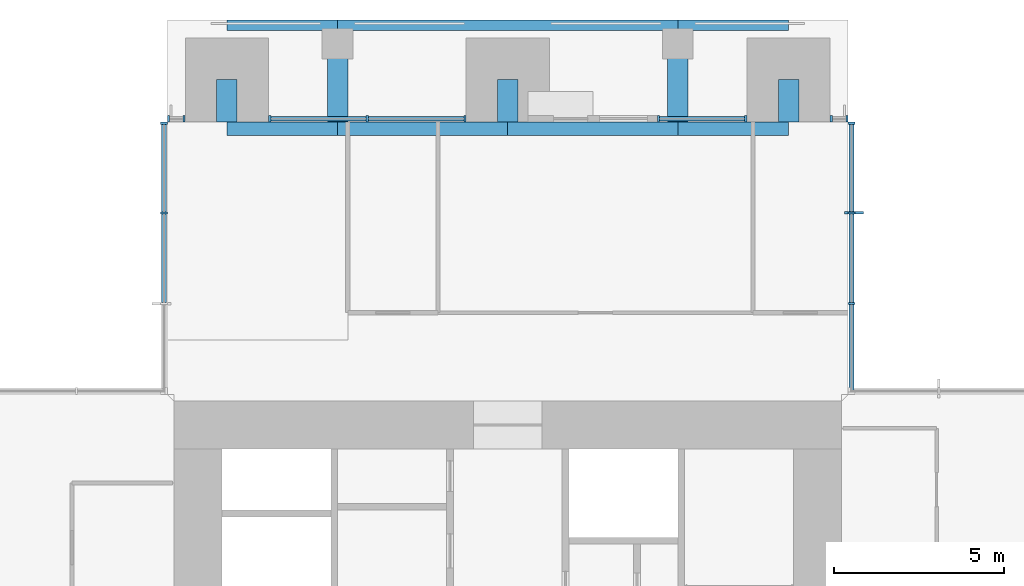
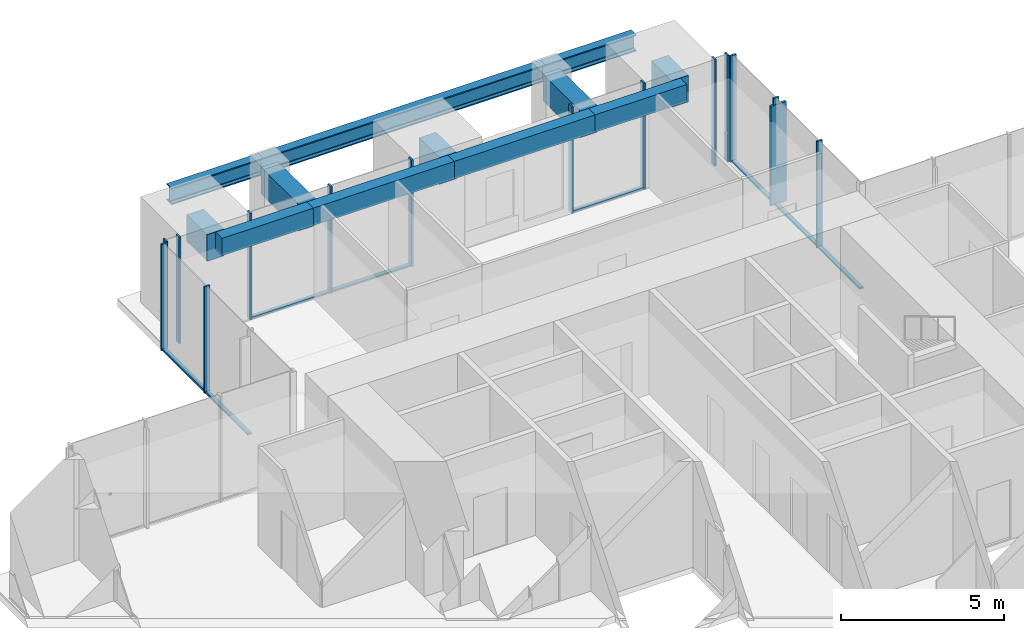
# One storey, part 5 of 17: 23 members, 12 beams, 6 elements without a shape of their own.
"""IFC4 building model written with IfcOpenShell, lengths in metres."""

from ifc_helpers import new_model, si_unit, direction, frame, origin, origin_2d, place, context, subcontext, project, spatial, rectangle, i_section, extrude, material, material_profile, profile_set, type_object, element, aggregate, save


model = new_model("IFC4")

# Units and contexts
model_context = context("Model", 3, precision=1e-05, world=origin(), true_north=direction((0.0, 1.0)))
body_context = subcontext(model_context, "Body", "Model", "MODEL_VIEW")
ifc_project = project(units=[si_unit("LENGTHUNIT", "METRE"), si_unit("AREAUNIT", "SQUARE_METRE"), si_unit("VOLUMEUNIT", "CUBIC_METRE"), si_unit("PLANEANGLEUNIT", "RADIAN"), si_unit("MASSUNIT", "GRAM", prefix="KILO")], contexts=[model_context])

# Site, building, storey
site_placement = place(None, origin())
site = spatial("IfcSite", under=ifc_project, at=site_placement, CompositionType="ELEMENT")
building_placement = place(site_placement, origin())
building = spatial("IfcBuilding", under=site, at=building_placement, Name="Svetlomir Tower", CompositionType="ELEMENT")
storey_placement = place(building_placement, frame((0.0, 0.0, 226.5)))
storey = spatial("IfcBuildingStorey", under=building, at=storey_placement, Name="L54", CompositionType="ELEMENT", Elevation=226.5)

# Curtain wall, members
ifc_material_1 = material(Name="Bronze anodised aluminium curtain wall", Category="aluminium")
curtain_wall_type = type_object("IfcCurtainWallType", Name="CURTAIN WALL CW1 TOWER OFFICE", PredefinedType="NOTDEFINED", material=ifc_material_1)
curtain_wall_1_placement = place(storey_placement, origin())
curtain_wall_1 = element("IfcCurtainWall", 1, at=curtain_wall_1_placement, inside=storey, type_object=curtain_wall_type, Name="Curtain wall CW1 L54", PredefinedType="NOTDEFINED")
ifc_material_2 = material(Name="Bronze anodised aluminium", Category="aluminium")
ifc_material_profile_1 = material_profile(ifc_material_2, rectangle(XDim=0.080078125, YDim=0.550048828125, at=origin_2d()), Name="FIN 80x550")
ifc_profile_set_1 = profile_set([ifc_material_profile_1], Name="Bronze anodised aluminium 6063-T6")
member_type_1 = type_object("IfcMemberType", Name="BRONZE FIN 80x550", PredefinedType="USERDEFINED", material=ifc_profile_set_1)
member_1_placement = place(storey_placement, frame((31.175048828125, 36.333251953125, 0.0), z_axis=(0.0, 0.0, 1.0), x_axis=(0.0, 1.0, 0.0)))
member_1 = element("IfcMember", 2, at=member_1_placement, type_object=member_type_1, Name="Bronze fin L54", ObjectType="FIN", PredefinedType="USERDEFINED", context=body_context, shape_type="SweptSolid", body=[
    extrude(rectangle(XDim=0.080078125, YDim=0.550048828125, at=origin_2d()), origin(), (0.0, 0.0, 1.0), 3.75),
])
ifc_material_3 = material(Name="Bronze anodised aluminium", Category="aluminium")
ifc_material_profile_2 = material_profile(ifc_material_3, rectangle(XDim=0.06494140625, YDim=0.199951171875, at=origin_2d()), Name="AL 65x200")
ifc_profile_set_2 = profile_set([ifc_material_profile_2], Name="Bronze anodised aluminium 6063-T6")
member_type_2 = type_object("IfcMemberType", Name="CW1 MULLION 65x200", PredefinedType="MULLION", material=ifc_profile_set_2)
member_2_placement = place(storey_placement, frame((31.10009765625, 33.666748046875, 0.0), z_axis=(0.0, 0.0, 1.0), x_axis=(0.0, 1.0, 0.0)))
member_2 = element("IfcMember", 3, at=member_2_placement, type_object=member_type_2, Name="CW1 mullion 2", PredefinedType="MULLION", context=body_context, shape_type="SweptSolid", body=[
    extrude(rectangle(XDim=0.06494140625, YDim=0.199951171875, at=origin_2d()), origin(), (0.0, 0.0, 1.0), 4.0),
])
member_3_placement = place(storey_placement, frame((31.10009765625, 36.333251953125, 0.0), z_axis=(0.0, 0.0, 1.0), x_axis=(0.0, 1.0, 0.0)))
member_3 = element("IfcMember", 4, at=member_3_placement, type_object=member_type_2, Name="CW1 mullion 3", PredefinedType="MULLION", context=body_context, shape_type="SweptSolid", body=[
    extrude(rectangle(XDim=0.06494140625, YDim=0.199951171875, at=origin_2d()), origin(), (0.0, 0.0, 1.0), 4.0),
])
member_4_placement = place(storey_placement, frame((31.10009765625, 38.967529296875, 0.0), z_axis=(0.0, 0.0, 1.0), x_axis=(0.0, 1.0, 0.0)))
member_4 = element("IfcMember", 5, at=member_4_placement, type_object=member_type_2, Name="CW1 mullion 4", PredefinedType="MULLION", context=body_context, shape_type="SweptSolid", body=[
    extrude(rectangle(XDim=0.06494140625, YDim=0.199951171875, at=origin_2d()), origin(), (0.0, 0.0, 1.0), 4.0),
])

curtain_wall_2_placement = place(storey_placement, origin())
curtain_wall_2 = element("IfcCurtainWall", 6, at=curtain_wall_2_placement, inside=storey, type_object=curtain_wall_type, Name="Curtain wall CW1 L54", PredefinedType="NOTDEFINED")
member_5_placement = place(storey_placement, frame((30.967529296875, 39.10009765625, 0.0), z_axis=(0.0, 0.0, 1.0), x_axis=(-1.0, 0.0, 0.0)))
member_5 = element("IfcMember", 7, at=member_5_placement, type_object=member_type_2, Name="CW1 mullion 1", PredefinedType="MULLION", context=body_context, shape_type="SweptSolid", body=[
    extrude(rectangle(XDim=0.06494140625, YDim=0.199951171875, at=origin_2d()), origin(), (0.0, 0.0, 1.0), 4.0),
])
member_6_placement = place(storey_placement, frame((30.507568359375, 39.10009765625, 0.0), z_axis=(0.0, 0.0, 1.0), x_axis=(-1.0, 0.0, 0.0)))
member_6 = element("IfcMember", 8, at=member_6_placement, type_object=member_type_2, Name="CW1 mullion 2", PredefinedType="MULLION", context=body_context, shape_type="SweptSolid", body=[
    extrude(rectangle(XDim=0.06494140625, YDim=0.199951171875, at=origin_2d()), origin(), (0.0, 0.0, 1.0), 4.0),
])
aggregate(curtain_wall_2, [member_5, member_6])

curtain_wall_3_placement = place(storey_placement, origin())
curtain_wall_3 = element("IfcCurtainWall", 9, at=curtain_wall_3_placement, inside=storey, type_object=curtain_wall_type, Name="Curtain wall CW1 L54", PredefinedType="NOTDEFINED")
member_7_placement = place(storey_placement, frame((27.992431640625, 39.10009765625, 0.0), z_axis=(0.0, 0.0, 1.0), x_axis=(-1.0, 0.0, 0.0)))
member_7 = element("IfcMember", 10, at=member_7_placement, type_object=member_type_2, Name="CW1 mullion 1", PredefinedType="MULLION", context=body_context, shape_type="SweptSolid", body=[
    extrude(rectangle(XDim=0.06494140625, YDim=0.199951171875, at=origin_2d()), origin(), (0.0, 0.0, 1.0), 4.0),
])
member_8_placement = place(storey_placement, frame((25.4326171875, 39.10009765625, 0.0), z_axis=(0.0, 0.0, 1.0), x_axis=(-1.0, 0.0, 0.0)))
member_8 = element("IfcMember", 11, at=member_8_placement, type_object=member_type_2, Name="CW1 mullion 2", PredefinedType="MULLION", context=body_context, shape_type="SweptSolid", body=[
    extrude(rectangle(XDim=0.06494140625, YDim=0.199951171875, at=origin_2d()), origin(), (0.0, 0.0, 1.0), 4.0),
])

curtain_wall_4_placement = place(storey_placement, origin())
curtain_wall_4 = element("IfcCurtainWall", 12, at=curtain_wall_4_placement, inside=storey, type_object=curtain_wall_type, Name="Curtain wall CW1 L54", PredefinedType="NOTDEFINED")
member_9_placement = place(storey_placement, frame((19.742431640625, 39.10009765625, 0.0), z_axis=(0.0, 0.0, 1.0), x_axis=(-1.0, 0.0, 0.0)))
member_9 = element("IfcMember", 13, at=member_9_placement, type_object=member_type_2, Name="CW1 mullion 1", PredefinedType="MULLION", context=body_context, shape_type="SweptSolid", body=[
    extrude(rectangle(XDim=0.06494140625, YDim=0.199951171875, at=origin_2d()), origin(), (0.0, 0.0, 1.0), 4.0),
])
member_10_placement = place(storey_placement, frame((16.875, 39.10009765625, 0.0), z_axis=(0.0, 0.0, 1.0), x_axis=(-1.0, 0.0, 0.0)))
member_10 = element("IfcMember", 14, at=member_10_placement, type_object=member_type_2, Name="CW1 mullion 2", PredefinedType="MULLION", context=body_context, shape_type="SweptSolid", body=[
    extrude(rectangle(XDim=0.06494140625, YDim=0.199951171875, at=origin_2d()), origin(), (0.0, 0.0, 1.0), 4.0),
])
member_11_placement = place(storey_placement, frame((14.007568359375, 39.10009765625, 0.0), z_axis=(0.0, 0.0, 1.0), x_axis=(-1.0, 0.0, 0.0)))
member_11 = element("IfcMember", 15, at=member_11_placement, type_object=member_type_2, Name="CW1 mullion 3", PredefinedType="MULLION", context=body_context, shape_type="SweptSolid", body=[
    extrude(rectangle(XDim=0.06494140625, YDim=0.199951171875, at=origin_2d()), origin(), (0.0, 0.0, 1.0), 4.0),
])

curtain_wall_5_placement = place(storey_placement, origin())
curtain_wall_5 = element("IfcCurtainWall", 16, at=curtain_wall_5_placement, inside=storey, type_object=curtain_wall_type, Name="Curtain wall CW1 L54", PredefinedType="NOTDEFINED")
member_12_placement = place(storey_placement, frame((11.492431640625, 39.10009765625, 0.0), z_axis=(0.0, 0.0, 1.0), x_axis=(-1.0, 0.0, 0.0)))
member_12 = element("IfcMember", 17, at=member_12_placement, type_object=member_type_2, Name="CW1 mullion 1", PredefinedType="MULLION", context=body_context, shape_type="SweptSolid", body=[
    extrude(rectangle(XDim=0.06494140625, YDim=0.199951171875, at=origin_2d()), origin(), (0.0, 0.0, 1.0), 4.0),
])
member_13_placement = place(storey_placement, frame((11.032470703125, 39.10009765625, 0.0), z_axis=(0.0, 0.0, 1.0), x_axis=(-1.0, 0.0, 0.0)))
member_13 = element("IfcMember", 18, at=member_13_placement, type_object=member_type_2, Name="CW1 mullion 2", PredefinedType="MULLION", context=body_context, shape_type="SweptSolid", body=[
    extrude(rectangle(XDim=0.06494140625, YDim=0.199951171875, at=origin_2d()), origin(), (0.0, 0.0, 1.0), 4.0),
])
aggregate(curtain_wall_5, [member_12, member_13])

curtain_wall_6_placement = place(storey_placement, origin())
curtain_wall_6 = element("IfcCurtainWall", 19, at=curtain_wall_6_placement, inside=storey, type_object=curtain_wall_type, Name="Curtain wall CW1 L54", PredefinedType="NOTDEFINED")
member_14_placement = place(storey_placement, frame((10.89990234375, 38.967529296875, 0.0), z_axis=(0.0, 0.0, 1.0), x_axis=(0.0, -1.0, 0.0)))
member_14 = element("IfcMember", 20, at=member_14_placement, type_object=member_type_2, Name="CW1 mullion 1", PredefinedType="MULLION", context=body_context, shape_type="SweptSolid", body=[
    extrude(rectangle(XDim=0.06494140625, YDim=0.199951171875, at=origin_2d()), origin(), (0.0, 0.0, 1.0), 4.0),
])
member_15_placement = place(storey_placement, frame((10.89990234375, 36.333251953125, 0.0), z_axis=(0.0, 0.0, 1.0), x_axis=(0.0, -1.0, 0.0)))
member_15 = element("IfcMember", 21, at=member_15_placement, type_object=member_type_2, Name="CW1 mullion 2", PredefinedType="MULLION", context=body_context, shape_type="SweptSolid", body=[
    extrude(rectangle(XDim=0.06494140625, YDim=0.199951171875, at=origin_2d()), origin(), (0.0, 0.0, 1.0), 4.0),
])

# Member
ifc_material_4 = material(Name="Bronze anodised aluminium", Category="aluminium")
ifc_material_profile_3 = material_profile(ifc_material_4, rectangle(XDim=0.139892578125, YDim=0.06494140625, at=origin_2d()), Name="AL 140x65")
ifc_profile_set_3 = profile_set([ifc_material_profile_3], Name="Bronze anodised aluminium 6063-T6")
member_type_3 = type_object("IfcMemberType", Name="CW1 TRANSOM 65x140", PredefinedType="USERDEFINED", material=ifc_profile_set_3)
member_16_placement = place(storey_placement, frame((31.10009765625, 31.06494140625, 0.032470703125), z_axis=(0.0, 1.0, 0.0), x_axis=(-1.0, 0.0, 0.0)))
member_16 = element("IfcMember", 22, at=member_16_placement, type_object=member_type_3, Name="CW1 transom 1.1", ObjectType="TRANSOM", PredefinedType="USERDEFINED", context=body_context, shape_type="SweptSolid", body=[
    extrude(rectangle(XDim=0.139892578125, YDim=0.06494140625, at=origin_2d()), origin(), (0.0, 0.0, 1.0), 2.5693359375),
])

member_17_placement = place(storey_placement, frame((31.10009765625, 33.69921875, 0.032470703125), z_axis=(0.0, 1.0, 0.0), x_axis=(-1.0, 0.0, 0.0)))
member_17 = element("IfcMember", 23, at=member_17_placement, type_object=member_type_3, Name="CW1 transom 2.1", ObjectType="TRANSOM", PredefinedType="USERDEFINED", context=body_context, shape_type="SweptSolid", body=[
    extrude(rectangle(XDim=0.139892578125, YDim=0.06494140625, at=origin_2d()), origin(), (0.0, 0.0, 1.0), 2.6015625),
])

member_18_placement = place(storey_placement, frame((31.10009765625, 36.36572265625, 0.032470703125), z_axis=(0.0, 1.0, 0.0), x_axis=(-1.0, 0.0, 0.0)))
member_18 = element("IfcMember", 24, at=member_18_placement, type_object=member_type_3, Name="CW1 transom 3.1", ObjectType="TRANSOM", PredefinedType="USERDEFINED", context=body_context, shape_type="SweptSolid", body=[
    extrude(rectangle(XDim=0.139892578125, YDim=0.06494140625, at=origin_2d()), origin(), (0.0, 0.0, 1.0), 2.5693359375),
])

aggregate(curtain_wall_1, [member_2, member_3, member_4, member_16, member_17, member_18, member_1])

member_19_placement = place(storey_placement, frame((27.9599609375, 39.10009765625, 0.032470703125), z_axis=(-1.0, 0.0, 0.0), x_axis=(0.0, -1.0, 0.0)))
member_19 = element("IfcMember", 25, at=member_19_placement, type_object=member_type_3, Name="CW1 transom 1.1", ObjectType="TRANSOM", PredefinedType="USERDEFINED", context=body_context, shape_type="SweptSolid", body=[
    extrude(rectangle(XDim=0.139892578125, YDim=0.06494140625, at=origin_2d()), origin(), (0.0, 0.0, 1.0), 2.494873046875),
])

aggregate(curtain_wall_3, [member_7, member_8, member_19])

member_20_placement = place(storey_placement, frame((19.7099609375, 39.10009765625, 0.032470703125), z_axis=(-1.0, 0.0, 0.0), x_axis=(0.0, -1.0, 0.0)))
member_20 = element("IfcMember", 26, at=member_20_placement, type_object=member_type_3, Name="CW1 transom 1.1", ObjectType="TRANSOM", PredefinedType="USERDEFINED", context=body_context, shape_type="SweptSolid", body=[
    extrude(rectangle(XDim=0.139892578125, YDim=0.06494140625, at=origin_2d()), origin(), (0.0, 0.0, 1.0), 2.802490234375),
])

member_21_placement = place(storey_placement, frame((16.842529296875, 39.10009765625, 0.032470703125), z_axis=(-1.0, 0.0, 0.0), x_axis=(0.0, -1.0, 0.0)))
member_21 = element("IfcMember", 27, at=member_21_placement, type_object=member_type_3, Name="CW1 transom 2.1", ObjectType="TRANSOM", PredefinedType="USERDEFINED", context=body_context, shape_type="SweptSolid", body=[
    extrude(rectangle(XDim=0.139892578125, YDim=0.06494140625, at=origin_2d()), origin(), (0.0, 0.0, 1.0), 2.802490234375),
])

aggregate(curtain_wall_4, [member_9, member_10, member_11, member_20, member_21])

member_22_placement = place(storey_placement, frame((10.89990234375, 38.93505859375, 0.032470703125), z_axis=(0.0, -1.0, 0.0), x_axis=(1.0, 0.0, 0.0)))
member_22 = element("IfcMember", 28, at=member_22_placement, type_object=member_type_3, Name="CW1 transom 1.1", ObjectType="TRANSOM", PredefinedType="USERDEFINED", context=body_context, shape_type="SweptSolid", body=[
    extrude(rectangle(XDim=0.139892578125, YDim=0.06494140625, at=origin_2d()), origin(), (0.0, 0.0, 1.0), 2.5693359375),
])

member_23_placement = place(storey_placement, frame((10.89990234375, 36.30078125, 0.032470703125), z_axis=(0.0, -1.0, 0.0), x_axis=(1.0, 0.0, 0.0)))
member_23 = element("IfcMember", 29, at=member_23_placement, type_object=member_type_3, Name="CW1 transom 2.1", ObjectType="TRANSOM", PredefinedType="USERDEFINED", context=body_context, shape_type="SweptSolid", body=[
    extrude(rectangle(XDim=0.139892578125, YDim=0.06494140625, at=origin_2d()), origin(), (0.0, 0.0, 1.0), 2.6015625),
])

aggregate(curtain_wall_6, [member_14, member_15, member_22, member_23])

# Beams
ifc_material_5 = material(Name="Steel S355", Category="steel")
ifc_material_profile_4 = material_profile(ifc_material_5, i_section(OverallWidth=0.304931640625, OverallDepth=0.6201171875, WebThickness=0.02099609375, FlangeThickness=0.0400390625, FilletRadius=0.027099609375, at=origin_2d()), Name="HEM 600")
ifc_profile_set_4 = profile_set([ifc_material_profile_4], Name="Steel S355")
beam_type_1 = type_object("IfcBeamType", Name="EDGE BEAM HEM 600", PredefinedType="SPANDREL", material=ifc_profile_set_4)
beam_1_placement = place(storey_placement, frame((12.75, 41.847412109375, 3.43994140625), z_axis=(1.0, 0.0, 0.0), x_axis=(0.0, 1.0, 0.0)))
element("IfcBeam", 30, at=beam_1_placement, inside=storey, type_object=beam_type_1, Name="Edge beam 11/42 to 16/42 under L55", PredefinedType="SPANDREL", context=body_context, shape_type="SweptSolid", body=[
    extrude(i_section(OverallWidth=0.304931640625, OverallDepth=0.6201171875, WebThickness=0.02099609375, FlangeThickness=0.0400390625, FilletRadius=0.027099609375, at=origin_2d()), origin(), (0.0, 0.0, 1.0), 3.25),
])
beam_2_placement = place(storey_placement, frame((16.0, 41.847412109375, 3.43994140625), z_axis=(1.0, 0.0, 0.0), x_axis=(0.0, 1.0, 0.0)))
element("IfcBeam", 31, at=beam_2_placement, inside=storey, type_object=beam_type_1, Name="Edge beam 16/42 to 26/42 under L55", PredefinedType="SPANDREL", context=body_context, shape_type="SweptSolid", body=[
    extrude(i_section(OverallWidth=0.304931640625, OverallDepth=0.6201171875, WebThickness=0.02099609375, FlangeThickness=0.0400390625, FilletRadius=0.027099609375, at=origin_2d()), origin(), (0.0, 0.0, 1.0), 10.0),
])
beam_3_placement = place(storey_placement, frame((26.0, 41.847412109375, 3.43994140625), z_axis=(1.0, 0.0, 0.0), x_axis=(0.0, 1.0, 0.0)))
element("IfcBeam", 32, at=beam_3_placement, inside=storey, type_object=beam_type_1, Name="Edge beam 26/42 to 31/42 under L55", PredefinedType="SPANDREL", context=body_context, shape_type="SweptSolid", body=[
    extrude(i_section(OverallWidth=0.304931640625, OverallDepth=0.6201171875, WebThickness=0.02099609375, FlangeThickness=0.0400390625, FilletRadius=0.027099609375, at=origin_2d()), origin(), (0.0, 0.0, 1.0), 3.25),
])
ifc_material_6 = material(Name="Concrete C60/75", Category="concrete")
ifc_material_profile_5 = material_profile(ifc_material_6, rectangle(XDim=0.39990234375, YDim=0.64990234375, at=origin_2d()), Name="RC 400x650")
ifc_profile_set_5 = profile_set([ifc_material_profile_5], Name="Concrete C60/75")
beam_type_2 = type_object("IfcBeamType", Name="FACADE EDGE BEAM RC 400x650", PredefinedType="BEAM", material=ifc_profile_set_5)
beam_4_placement = place(storey_placement, frame((12.75, 38.800048828125, 3.425048828125), z_axis=(1.0, 0.0, 0.0), x_axis=(0.0, 1.0, 0.0)))
element("IfcBeam", 33, at=beam_4_placement, inside=storey, type_object=beam_type_2, Name="Facade edge beam N 11 to 16 under L55", PredefinedType="BEAM", context=body_context, shape_type="SweptSolid", body=[
    extrude(rectangle(XDim=0.39990234375, YDim=0.64990234375, at=origin_2d()), origin(), (0.0, 0.0, 1.0), 3.25),
])
for number, where, z_axis, x_axis, name in (
    (34, (16.0, 38.800048828125, 3.425048828125), (1.0, 0.0, 0.0), (0.0, 1.0, 0.0), "Facade edge beam N 16 to 21 under L55"),
    (35, (21.0, 38.800048828125, 3.425048828125), (1.0, 0.0, 0.0), (0.0, 1.0, 0.0), "Facade edge beam N 21 to 26 under L55"),
):
    element("IfcBeam", number, at=place(storey_placement, frame(where, z_axis=z_axis, x_axis=x_axis)), inside=storey, type_object=beam_type_2, Name=name, PredefinedType="BEAM", context=body_context, shape_type="SweptSolid", body=[
        extrude(rectangle(XDim=0.39990234375, YDim=0.64990234375, at=origin_2d()), origin(), (0.0, 0.0, 1.0), 5.0),
    ])
beam_5_placement = place(storey_placement, frame((26.0, 38.800048828125, 3.425048828125), z_axis=(1.0, 0.0, 0.0), x_axis=(0.0, 1.0, 0.0)))
element("IfcBeam", 36, at=beam_5_placement, inside=storey, type_object=beam_type_2, Name="Facade edge beam N 26 to 31 under L55", PredefinedType="BEAM", context=body_context, shape_type="SweptSolid", body=[
    extrude(rectangle(XDim=0.39990234375, YDim=0.64990234375, at=origin_2d()), origin(), (0.0, 0.0, 1.0), 3.25),
])
ifc_material_7 = material(Name="Concrete C60/75", Category="concrete")
ifc_material_profile_6 = material_profile(ifc_material_7, rectangle(XDim=0.60009765625, YDim=1.0, at=origin_2d()), Name="RC 600x1000")
ifc_profile_set_6 = profile_set([ifc_material_profile_6], Name="Concrete C60/75")
beam_type_3 = type_object("IfcBeamType", Name="LOGGIA LINK BEAM RC 600x1000", PredefinedType="BEAM", material=ifc_profile_set_6)
beam_6_placement = place(storey_placement, frame((12.75, 40.25, 3.25), z_axis=(0.0, -1.0, 0.0), x_axis=(1.0, 0.0, 0.0)))
element("IfcBeam", 37, at=beam_6_placement, inside=storey, type_object=beam_type_3, Name="Loggia link beam N 11 under L55", PredefinedType="BEAM", context=body_context, shape_type="SweptSolid", body=[
    extrude(rectangle(XDim=0.60009765625, YDim=1.0, at=origin_2d()), origin(), (0.0, 0.0, 1.0), 1.25),
])
beam_7_placement = place(storey_placement, frame((16.0, 41.300048828125, 3.25), z_axis=(0.0, -1.0, 0.0), x_axis=(1.0, 0.0, 0.0)))
element("IfcBeam", 38, at=beam_7_placement, inside=storey, type_object=beam_type_3, Name="Loggia link beam N 16 under L55", PredefinedType="BEAM", context=body_context, shape_type="SweptSolid", body=[
    extrude(rectangle(XDim=0.60009765625, YDim=1.0, at=origin_2d()), origin(), (0.0, 0.0, 1.0), 2.300048828125),
])
beam_8_placement = place(storey_placement, frame((21.0, 40.25, 3.25), z_axis=(0.0, -1.0, 0.0), x_axis=(1.0, 0.0, 0.0)))
element("IfcBeam", 39, at=beam_8_placement, inside=storey, type_object=beam_type_3, Name="Loggia link beam N 21 under L55", PredefinedType="BEAM", context=body_context, shape_type="SweptSolid", body=[
    extrude(rectangle(XDim=0.60009765625, YDim=1.0, at=origin_2d()), origin(), (0.0, 0.0, 1.0), 1.25),
])
beam_9_placement = place(storey_placement, frame((26.0, 41.300048828125, 3.25), z_axis=(0.0, -1.0, 0.0), x_axis=(1.0, 0.0, 0.0)))
element("IfcBeam", 40, at=beam_9_placement, inside=storey, type_object=beam_type_3, Name="Loggia link beam N 26 under L55", PredefinedType="BEAM", context=body_context, shape_type="SweptSolid", body=[
    extrude(rectangle(XDim=0.60009765625, YDim=1.0, at=origin_2d()), origin(), (0.0, 0.0, 1.0), 2.300048828125),
])
beam_10_placement = place(storey_placement, frame((29.25, 40.25, 3.25), z_axis=(0.0, -1.0, 0.0), x_axis=(1.0, 0.0, 0.0)))
element("IfcBeam", 41, at=beam_10_placement, inside=storey, type_object=beam_type_3, Name="Loggia link beam N 31 under L55", PredefinedType="BEAM", context=body_context, shape_type="SweptSolid", body=[
    extrude(rectangle(XDim=0.60009765625, YDim=1.0, at=origin_2d()), origin(), (0.0, 0.0, 1.0), 1.25),
])

save(model, "model.ifc")
